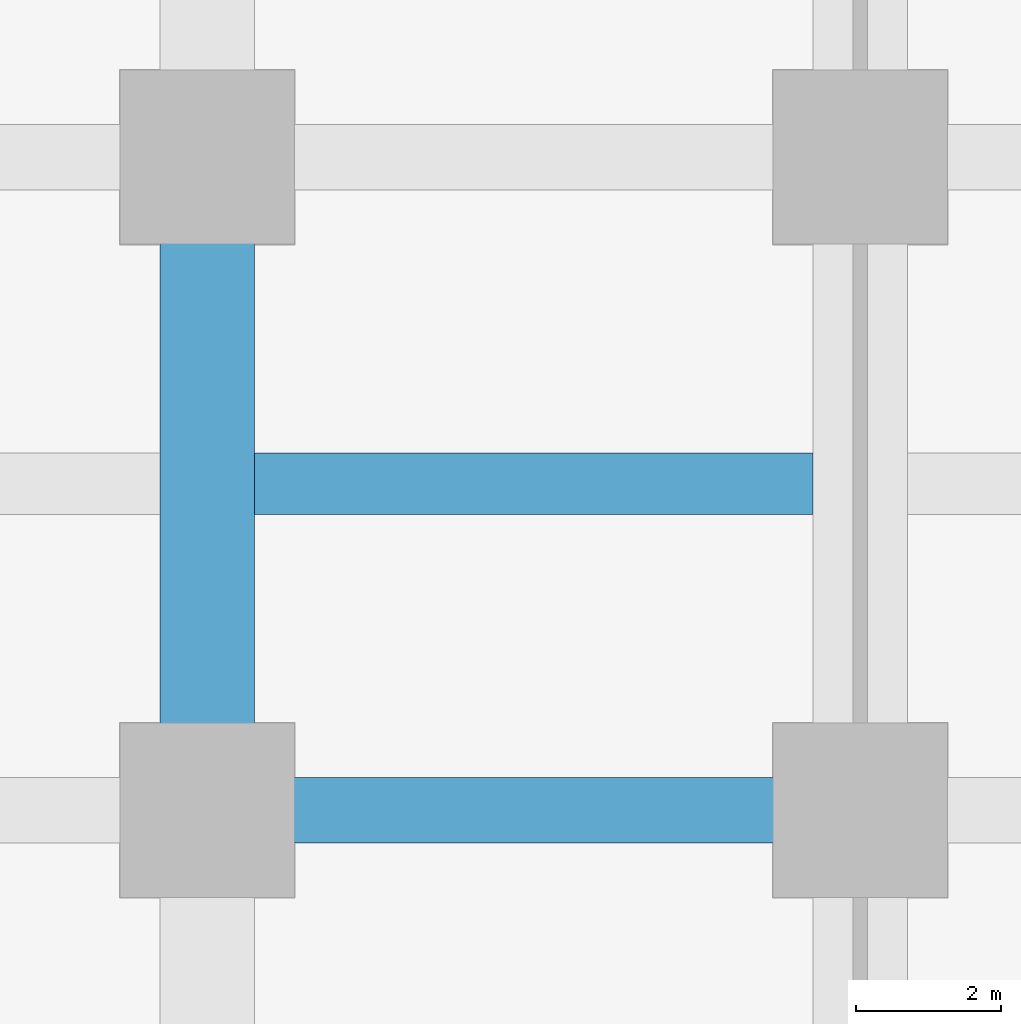
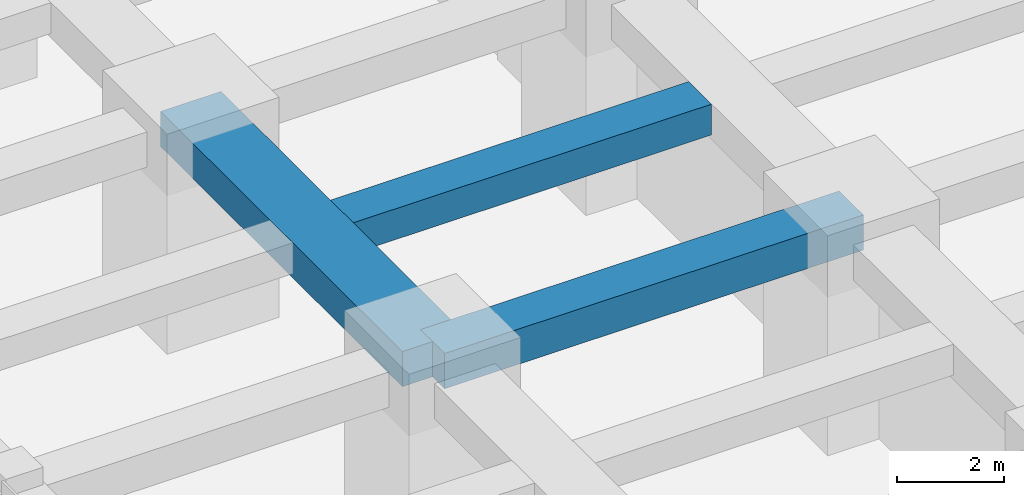
# One storey, part 10 of 46: 3 beams.
"""IFC4 building model written with IfcOpenShell, lengths in metres."""

from ifc_helpers import new_model, si_unit, direction, frame, origin, origin_2d, place, context, subcontext, project, spatial, rectangle, extrude, material, material_profile, profile_set, type_object, element, save


model = new_model("IFC4")

# Units and contexts
model_context = context("Model", 3, precision=1e-05, world=origin(), true_north=direction((0.0, 1.0)))
body_context = subcontext(model_context, "Body", "Model", "MODEL_VIEW")
ifc_project = project(units=[si_unit("LENGTHUNIT", "METRE"), si_unit("AREAUNIT", "SQUARE_METRE"), si_unit("VOLUMEUNIT", "CUBIC_METRE"), si_unit("PLANEANGLEUNIT", "RADIAN"), si_unit("MASSUNIT", "GRAM", prefix="KILO")], contexts=[model_context])

# Site, building, storey
site_placement = place(None, origin())
site = spatial("IfcSite", under=ifc_project, at=site_placement, CompositionType="ELEMENT")
building_placement = place(site_placement, origin())
building = spatial("IfcBuilding", under=site, at=building_placement, Name="Zorevar Civic Tower", CompositionType="ELEMENT")
storey_placement = place(building_placement, frame((0.0, 0.0, 10.800048828125)))
storey = spatial("IfcBuildingStorey", under=building, at=storey_placement, Name="L02", CompositionType="ELEMENT", Elevation=10.800048828125)

# Beams
ifc_material_1 = material(Name="Concrete C50/60", Category="concrete")
ifc_material_profile_1 = material_profile(ifc_material_1, rectangle(XDim=1.300048828125, YDim=0.800048828125, at=origin_2d()), Name="RC 1300x800")
ifc_profile_set_1 = profile_set([ifc_material_profile_1], Name="Concrete C50/60")
beam_type_1 = type_object("IfcBeamType", Name="Beam RC 1300x800", PredefinedType="BEAM", material=ifc_profile_set_1)
beam_1_placement = place(storey_placement, frame((0.0, 18.0, 4.199951171875), z_axis=(0.0, 1.0, 0.0), x_axis=(-1.0, 0.0, 0.0)))
element("IfcBeam", 1, at=beam_1_placement, inside=storey, type_object=beam_type_1, Name="Girder L03", PredefinedType="BEAM", context=body_context, shape_type="SweptSolid", body=[
    extrude(rectangle(XDim=1.300048828125, YDim=0.800048828125, at=origin_2d()), origin(), (0.0, 0.0, 1.0), 9.0),
])
ifc_material_2 = material(Name="Concrete C50/60", Category="concrete")
ifc_material_profile_2 = material_profile(ifc_material_2, rectangle(XDim=0.85009765625, YDim=0.699951171875, at=origin_2d()), Name="RC 850x700")
ifc_profile_set_2 = profile_set([ifc_material_profile_2], Name="Concrete C50/60")
beam_type_2 = type_object("IfcBeamType", Name="Beam RC 850x700", PredefinedType="BEAM", material=ifc_profile_set_2)
beam_2_placement = place(storey_placement, frame((0.64990234375, 22.5, 4.25), z_axis=(1.0, 0.0, 0.0), x_axis=(0.0, 1.0, 0.0)))
element("IfcBeam", 2, at=beam_2_placement, inside=storey, type_object=beam_type_2, Name="Secondary beam L03", PredefinedType="BEAM", context=body_context, shape_type="SweptSolid", body=[
    extrude(rectangle(XDim=0.85009765625, YDim=0.699951171875, at=origin_2d()), origin(), (0.0, 0.0, 1.0), 7.7001953125),
])
ifc_material_3 = material(Name="Concrete C50/60", Category="concrete")
ifc_material_profile_3 = material_profile(ifc_material_3, rectangle(XDim=0.89990234375, YDim=0.800048828125, at=origin_2d()), Name="RC 900x800")
ifc_profile_set_3 = profile_set([ifc_material_profile_3], Name="Concrete C50/60")
beam_type_3 = type_object("IfcBeamType", Name="Beam RC 900x800", PredefinedType="BEAM", material=ifc_profile_set_3)
beam_3_placement = place(storey_placement, frame((0.0, 18.0, 4.199951171875), z_axis=(1.0, 0.0, 0.0), x_axis=(0.0, 1.0, 0.0)))
element("IfcBeam", 3, at=beam_3_placement, inside=storey, type_object=beam_type_3, Name="Girder L03", PredefinedType="BEAM", context=body_context, shape_type="SweptSolid", body=[
    extrude(rectangle(XDim=0.89990234375, YDim=0.800048828125, at=origin_2d()), origin(), (0.0, 0.0, 1.0), 9.0),
])

save(model, "model.ifc")
